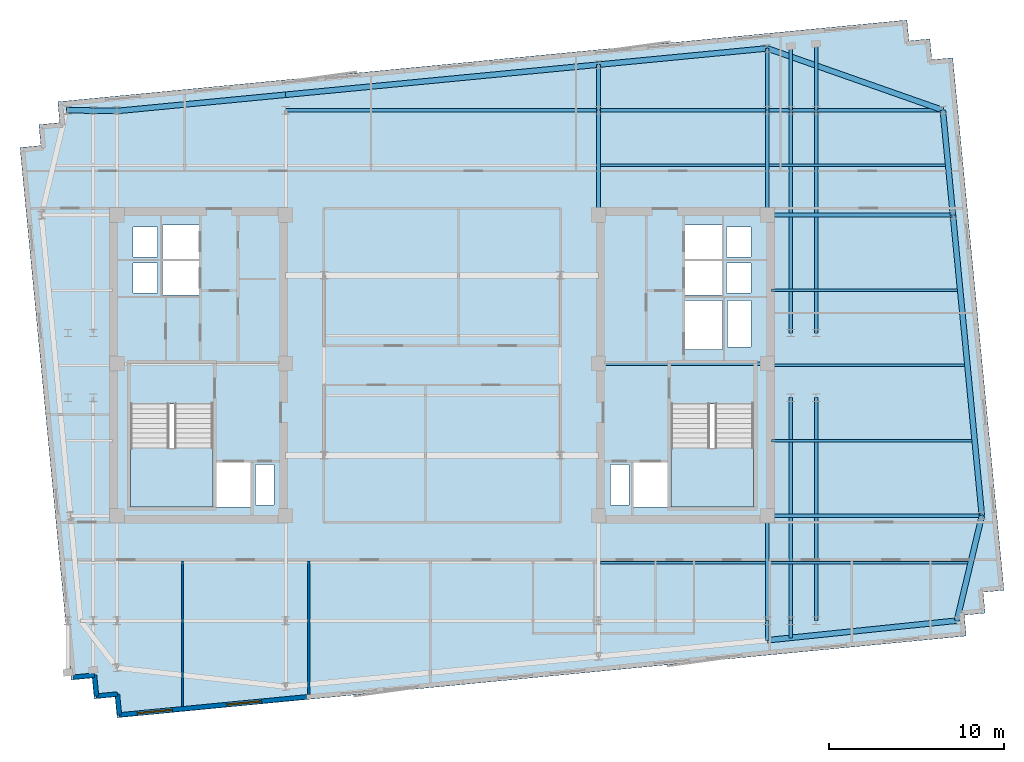
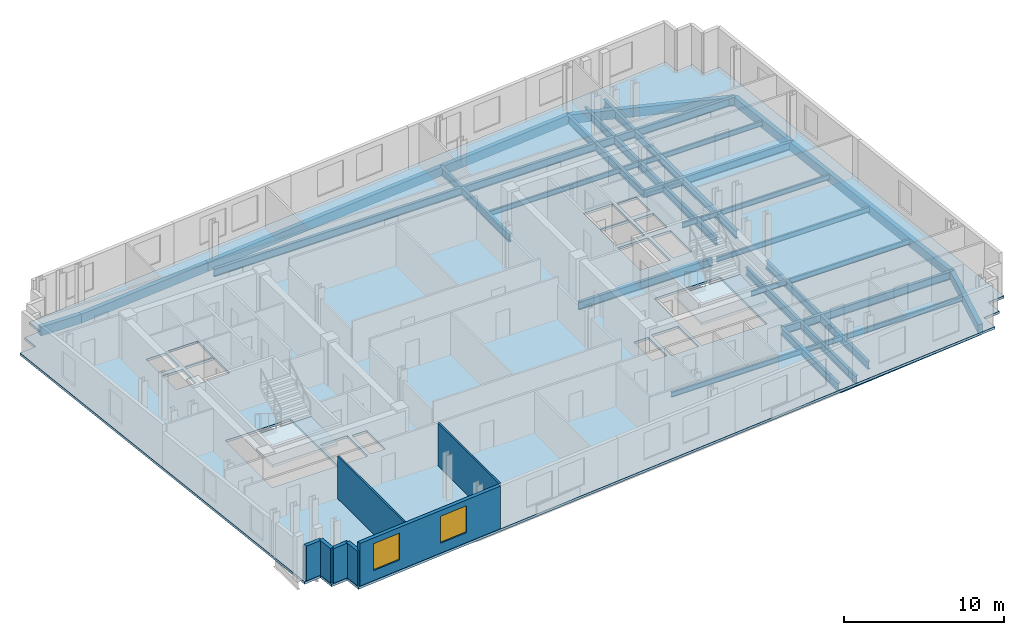
# One storey, part 2 of 9: 35 beams, 7 walls, 3 slabs, 2 windows, 2 openings, 2 elements without a shape of their own.
"""IFC4 building model written with IfcOpenShell, lengths in metres."""

from ifc_helpers import new_model, si_unit, direction, frame, frame_2d, origin, origin_2d, place, context, subcontext, project, spatial, polyline, rectangle, i_section, outline, extrude, material, layer, layer_set, material_profile, profile_set, type_object, element, fill, aggregate, save


model = new_model("IFC4")

# Units and contexts
model_context = context("Model", 3, precision=1e-05, world=origin(), true_north=direction((0.0, 1.0)))
body_context = subcontext(model_context, "Body", "Model", "MODEL_VIEW")
ifc_project = project(units=[si_unit("LENGTHUNIT", "METRE"), si_unit("AREAUNIT", "SQUARE_METRE"), si_unit("VOLUMEUNIT", "CUBIC_METRE"), si_unit("PLANEANGLEUNIT", "RADIAN"), si_unit("MASSUNIT", "GRAM", prefix="KILO")], contexts=[model_context])

# Site, building, storey
site_placement = place(None, origin())
site = spatial("IfcSite", under=ifc_project, at=site_placement, CompositionType="ELEMENT")
building_placement = place(site_placement, origin())
building = spatial("IfcBuilding", under=site, at=building_placement, Name="Velakula Bourse", CompositionType="ELEMENT")
storey_placement = place(building_placement, frame((0.0, 0.0, 265.5)))
storey = spatial("IfcBuildingStorey", under=building, at=storey_placement, Name="L72", CompositionType="ELEMENT", Elevation=265.5)

# Beams
ifc_material_1 = material(Name="Steel IS 2062 Grade 350 (E350)", Category="steel")
ifc_material_profile_1 = material_profile(ifc_material_1, i_section(OverallWidth=0.2099609375, OverallDepth=0.60009765625, WebThickness=0.011962890625, FlangeThickness=0.020751953125, at=origin_2d()), Name="Steel IS 2062 Grade 350 (E350)")
ifc_profile_set_1 = profile_set([ifc_material_profile_1], Name="Steel IS 2062 Grade 350 (E350)")
beam_type_1 = type_object("IfcBeamType", Name="BM-GRD-600L", PredefinedType="BEAM", material=ifc_profile_set_1)
beam_1_placement = place(storey_placement, frame((8.949951171875, 0.10009765625, -0.47998046875), z_axis=(1.0, 0.0, 0.0), x_axis=(0.0, 1.0, 0.0)))
element("IfcBeam", 1, at=beam_1_placement, inside=storey, type_object=beam_type_1, Name="L72 Primary Backbone Girder CRE-M", PredefinedType="BEAM", context=body_context, shape_type="SweptSolid", body=[
    extrude(i_section(OverallWidth=0.2099609375, OverallDepth=0.60009765625, WebThickness=0.011962890625, FlangeThickness=0.020751953125, at=origin_2d()), origin(), (0.0, 0.0, 1.0), 9.650146484375),
])
for number, where, z_axis, x_axis, name in (
    (2, (8.949951171875, 8.60009765625, -0.47998046875), (0.0, 1.0, 0.0), (-1.0, 0.0, 0.0), "L72 Fulcrum Grid Girder FLC-ECN"),
    (3, (18.60009765625, -14.60009765625, -0.47998046875), (0.0, 1.0, 0.0), (-1.0, 0.0, 0.0), "L72 Fulcrum Grid Girder FLC-ES"),
    (4, (18.60009765625, 8.60009765625, -0.47998046875), (0.0, 1.0, 0.0), (-1.0, 0.0, 0.0), "L72 Fulcrum Grid Girder FLC-EN"),
):
    element("IfcBeam", number, at=place(storey_placement, frame(where, z_axis=z_axis, x_axis=x_axis)), inside=storey, type_object=beam_type_1, Name=name, PredefinedType="BEAM", context=body_context, shape_type="SweptSolid", body=[
        extrude(i_section(OverallWidth=0.2099609375, OverallDepth=0.60009765625, WebThickness=0.011962890625, FlangeThickness=0.020751953125, at=origin_2d()), origin(), (0.0, 0.0, 1.0), 6.0),
    ])
beam_2_placement = place(storey_placement, frame((-8.949951171875, 14.60009765625, -0.47998046875), z_axis=(1.0, 0.0, 0.0), x_axis=(0.0, 1.0, 0.0)))
element("IfcBeam", 5, at=beam_2_placement, inside=storey, type_object=beam_type_1, Name="L72 Fulcrum Grid Girder FLC-N2", PredefinedType="BEAM", context=body_context, shape_type="SweptSolid", body=[
    extrude(i_section(OverallWidth=0.2099609375, OverallDepth=0.60009765625, WebThickness=0.011962890625, FlangeThickness=0.020751953125, at=origin_2d()), origin(), (0.0, 0.0, 1.0), 17.89990234375),
])
beam_3_placement = place(storey_placement, frame((8.949951171875, 14.60009765625, -0.47998046875), z_axis=(1.0, 0.0, 0.0), x_axis=(0.0, 1.0, 0.0)))
element("IfcBeam", 6, at=beam_3_placement, inside=storey, type_object=beam_type_1, Name="L72 Fulcrum Grid Girder FLC-N3", PredefinedType="BEAM", context=body_context, shape_type="SweptSolid", body=[
    extrude(i_section(OverallWidth=0.2099609375, OverallDepth=0.60009765625, WebThickness=0.011962890625, FlangeThickness=0.020751953125, at=origin_2d()), origin(), (0.0, 0.0, 1.0), 9.650146484375),
])
for number, where, z_axis, x_axis, name in (
    (7, (19.949951171875, -14.60009765625, -0.47998046875), (0.0, 1.0, 0.0), (-1.0, 0.0, 0.0), "L72 Fulcrum Grid Girder FLC-PSE1"),
    (8, (19.949951171875, 1.85009765625, -0.47998046875), (0.0, 1.0, 0.0), (-1.0, 0.0, 0.0), "L72 Fulcrum Grid Girder FLC-PNE1"),
    (9, (21.39990234375, -14.60009765625, -0.47998046875), (0.0, 1.0, 0.0), (-1.0, 0.0, 0.0), "L72 Fulcrum Grid Girder FLC-PSE2"),
    (10, (21.39990234375, 1.85009765625, -0.47998046875), (0.0, 1.0, 0.0), (-1.0, 0.0, 0.0), "L72 Fulcrum Grid Girder FLC-PNE2"),
):
    element("IfcBeam", number, at=place(storey_placement, frame(where, z_axis=z_axis, x_axis=x_axis)), inside=storey, type_object=beam_type_1, Name=name, PredefinedType="BEAM", context=body_context, shape_type="SweptSolid", body=[
        extrude(i_section(OverallWidth=0.2099609375, OverallDepth=0.60009765625, WebThickness=0.011962890625, FlangeThickness=0.020751953125, at=origin_2d()), origin(), (0.0, 0.0, 1.0), 12.75),
    ])
beam_4_placement = place(storey_placement, frame((18.60009765625, -14.60009765625, -0.47998046875), z_axis=(0.0, -1.0, 0.0), x_axis=(1.0, 0.0, 0.0)))
element("IfcBeam", 11, at=beam_4_placement, inside=storey, type_object=beam_type_1, Name="L72 Perimeter Tie Girder S4", PredefinedType="BEAM", context=body_context, shape_type="SweptSolid", body=[
    extrude(i_section(OverallWidth=0.2099609375, OverallDepth=0.60009765625, WebThickness=0.011962890625, FlangeThickness=0.020751953125, at=origin_2d()), origin(), (0.0, 0.0, 1.0), 1.1220703125),
])
beam_5_placement = place(storey_placement, frame((8.949951171875, 14.60009765625, -0.47998046875), z_axis=(0.0, 1.0, 0.0), x_axis=(-1.0, 0.0, 0.0)))
element("IfcBeam", 12, at=beam_5_placement, inside=storey, type_object=beam_type_1, Name="L72 Perimeter Tie Girder N3", PredefinedType="BEAM", context=body_context, shape_type="SweptSolid", body=[
    extrude(i_section(OverallWidth=0.2099609375, OverallDepth=0.60009765625, WebThickness=0.011962890625, FlangeThickness=0.020751953125, at=origin_2d()), origin(), (0.0, 0.0, 1.0), 2.6044921875),
])
beam_6_placement = place(storey_placement, frame((18.60009765625, 14.60009765625, -0.47998046875), z_axis=(0.0, 1.0, 0.0), x_axis=(-1.0, 0.0, 0.0)))
element("IfcBeam", 13, at=beam_6_placement, inside=storey, type_object=beam_type_1, Name="L72 Perimeter Tie Girder N4", PredefinedType="BEAM", context=body_context, shape_type="SweptSolid", body=[
    extrude(i_section(OverallWidth=0.2099609375, OverallDepth=0.60009765625, WebThickness=0.011962890625, FlangeThickness=0.020751953125, at=origin_2d()), origin(), (0.0, 0.0, 1.0), 3.53369140625),
])
beam_7_placement = place(storey_placement, frame((18.60009765625, -8.60009765625, -0.47998046875), z_axis=(1.0, 0.0, 0.0), x_axis=(0.0, 1.0, 0.0)))
element("IfcBeam", 14, at=beam_7_placement, inside=storey, type_object=beam_type_1, Name="L72 Perimeter Tie Girder E2", PredefinedType="BEAM", context=body_context, shape_type="SweptSolid", body=[
    extrude(i_section(OverallWidth=0.2099609375, OverallDepth=0.60009765625, WebThickness=0.011962890625, FlangeThickness=0.020751953125, at=origin_2d()), origin(), (0.0, 0.0, 1.0), 12.27880859375),
])
beam_8_placement = place(storey_placement, frame((18.60009765625, 8.60009765625, -0.47998046875), z_axis=(1.0, 0.0, 0.0), x_axis=(0.0, 1.0, 0.0)))
element("IfcBeam", 15, at=beam_8_placement, inside=storey, type_object=beam_type_1, Name="L72 Perimeter Tie Girder E3", PredefinedType="BEAM", context=body_context, shape_type="SweptSolid", body=[
    extrude(i_section(OverallWidth=0.2099609375, OverallDepth=0.60009765625, WebThickness=0.011962890625, FlangeThickness=0.020751953125, at=origin_2d()), origin(), (0.0, 0.0, 1.0), 10.62255859375),
])
beam_9_placement = place(storey_placement, frame((18.60009765625, 14.60009765625, -0.47998046875), z_axis=(1.0, 0.0, 0.0), x_axis=(0.0, 1.0, 0.0)))
element("IfcBeam", 16, at=beam_9_placement, inside=storey, type_object=beam_type_1, Name="L72 Perimeter Tie Girder E4", PredefinedType="BEAM", context=body_context, shape_type="SweptSolid", body=[
    extrude(i_section(OverallWidth=0.2099609375, OverallDepth=0.60009765625, WebThickness=0.011962890625, FlangeThickness=0.020751953125, at=origin_2d()), origin(), (0.0, 0.0, 1.0), 10.044921875),
])
beam_10_placement = place(storey_placement, frame((19.949951171875, -14.60009765625, -0.47998046875), z_axis=(0.0, -1.0, 0.0), x_axis=(1.0, 0.0, 0.0)))
element("IfcBeam", 17, at=beam_10_placement, inside=storey, type_object=beam_type_1, Name="L72 Perimeter Tie Girder P03", PredefinedType="BEAM", context=body_context, shape_type="SweptSolid", body=[
    extrude(i_section(OverallWidth=0.2099609375, OverallDepth=0.60009765625, WebThickness=0.011962890625, FlangeThickness=0.020751953125, at=origin_2d()), origin(), (0.0, 0.0, 1.0), 0.991943359375),
])
beam_11_placement = place(storey_placement, frame((19.949951171875, 14.60009765625, -0.47998046875), z_axis=(0.0, 1.0, 0.0), x_axis=(-1.0, 0.0, 0.0)))
element("IfcBeam", 18, at=beam_11_placement, inside=storey, type_object=beam_type_1, Name="L72 Perimeter Tie Girder P07", PredefinedType="BEAM", context=body_context, shape_type="SweptSolid", body=[
    extrude(i_section(OverallWidth=0.2099609375, OverallDepth=0.60009765625, WebThickness=0.011962890625, FlangeThickness=0.020751953125, at=origin_2d()), origin(), (0.0, 0.0, 1.0), 3.66357421875),
])
beam_12_placement = place(storey_placement, frame((21.39990234375, 14.60009765625, -0.47998046875), z_axis=(0.0, 1.0, 0.0), x_axis=(-1.0, 0.0, 0.0)))
element("IfcBeam", 19, at=beam_12_placement, inside=storey, type_object=beam_type_1, Name="L72 Perimeter Tie Girder P08", PredefinedType="BEAM", context=body_context, shape_type="SweptSolid", body=[
    extrude(i_section(OverallWidth=0.2099609375, OverallDepth=0.60009765625, WebThickness=0.011962890625, FlangeThickness=0.020751953125, at=origin_2d()), origin(), (0.0, 0.0, 1.0), 3.80322265625),
])
ifc_material_profile_2 = material_profile(ifc_material_1, i_section(OverallWidth=0.139892578125, OverallDepth=0.39990234375, WebThickness=0.0087890625, FlangeThickness=0.01611328125, at=origin_2d()), Name="Steel IS 2062 Grade 350 (E350)")
ifc_profile_set_2 = profile_set([ifc_material_profile_2], Name="Steel IS 2062 Grade 350 (E350)")
beam_type_2 = type_object("IfcBeamType", Name="JST-TWR-400", PredefinedType="JOIST", material=ifc_profile_set_2)
beam_13_placement = place(storey_placement, frame((9.054931640625, -11.300048828125, -0.3798828125), z_axis=(1.0, 0.0, 0.0), x_axis=(0.0, 1.0, 0.0)))
element("IfcBeam", 20, at=beam_13_placement, inside=storey, type_object=beam_type_2, Name="L72 Trading Floor Composite Joist 06", PredefinedType="JOIST", context=body_context, shape_type="SweptSolid", body=[
    extrude(i_section(OverallWidth=0.139892578125, OverallDepth=0.39990234375, WebThickness=0.0087890625, FlangeThickness=0.01611328125, at=origin_2d()), origin(), (0.0, 0.0, 1.0), 9.440185546875),
])
beam_14_placement = place(storey_placement, frame((18.705078125, -11.300048828125, -0.3798828125), z_axis=(1.0, 0.0, 0.0), x_axis=(0.0, 1.0, 0.0)))
element("IfcBeam", 21, at=beam_14_placement, inside=storey, type_object=beam_type_2, Name="L72 Trading Floor Composite Joist 07", PredefinedType="JOIST", context=body_context, shape_type="SweptSolid", body=[
    extrude(i_section(OverallWidth=0.139892578125, OverallDepth=0.39990234375, WebThickness=0.0087890625, FlangeThickness=0.01611328125, at=origin_2d()), origin(), (0.0, 0.0, 1.0), 11.364990234375),
])
beam_15_placement = place(storey_placement, frame((9.054931640625, 11.449951171875, -0.3798828125), z_axis=(1.0, 0.0, 0.0), x_axis=(0.0, 1.0, 0.0)))
element("IfcBeam", 22, at=beam_15_placement, inside=storey, type_object=beam_type_2, Name="L72 Trading Floor Composite Joist 11", PredefinedType="JOIST", context=body_context, shape_type="SweptSolid", body=[
    extrude(i_section(OverallWidth=0.139892578125, OverallDepth=0.39990234375, WebThickness=0.0087890625, FlangeThickness=0.01611328125, at=origin_2d()), origin(), (0.0, 0.0, 1.0), 9.440185546875),
])
beam_16_placement = place(storey_placement, frame((18.705078125, 11.449951171875, -0.3798828125), z_axis=(1.0, 0.0, 0.0), x_axis=(0.0, 1.0, 0.0)))
element("IfcBeam", 23, at=beam_16_placement, inside=storey, type_object=beam_type_2, Name="L72 Trading Floor Composite Joist 12", PredefinedType="JOIST", context=body_context, shape_type="SweptSolid", body=[
    extrude(i_section(OverallWidth=0.139892578125, OverallDepth=0.39990234375, WebThickness=0.0087890625, FlangeThickness=0.01611328125, at=origin_2d()), origin(), (0.0, 0.0, 1.0), 10.08251953125),
])
beam_17_placement = place(storey_placement, frame((18.85009765625, -4.300048828125, -0.3798828125), z_axis=(1.0, 0.0, 0.0), x_axis=(0.0, 1.0, 0.0)))
element("IfcBeam", 24, at=beam_17_placement, inside=storey, type_object=beam_type_2, Name="L72 Trading Floor Composite Joist 17", PredefinedType="JOIST", context=body_context, shape_type="SweptSolid", body=[
    extrude(i_section(OverallWidth=0.139892578125, OverallDepth=0.39990234375, WebThickness=0.0087890625, FlangeThickness=0.01611328125, at=origin_2d()), origin(), (0.0, 0.0, 1.0), 11.453857421875),
])
beam_18_placement = place(storey_placement, frame((18.85009765625, 0.0, -0.3798828125), z_axis=(1.0, 0.0, 0.0), x_axis=(0.0, 1.0, 0.0)))
element("IfcBeam", 25, at=beam_18_placement, inside=storey, type_object=beam_type_2, Name="L72 Trading Floor Composite Joist 19", PredefinedType="JOIST", context=body_context, shape_type="SweptSolid", body=[
    extrude(i_section(OverallWidth=0.139892578125, OverallDepth=0.39990234375, WebThickness=0.0087890625, FlangeThickness=0.01611328125, at=origin_2d()), origin(), (0.0, 0.0, 1.0), 11.039794921875),
])
beam_19_placement = place(storey_placement, frame((18.85009765625, 4.300048828125, -0.3798828125), z_axis=(1.0, 0.0, 0.0), x_axis=(0.0, 1.0, 0.0)))
element("IfcBeam", 26, at=beam_19_placement, inside=storey, type_object=beam_type_2, Name="L72 Trading Floor Composite Joist 21", PredefinedType="JOIST", context=body_context, shape_type="SweptSolid", body=[
    extrude(i_section(OverallWidth=0.139892578125, OverallDepth=0.39990234375, WebThickness=0.0087890625, FlangeThickness=0.01611328125, at=origin_2d()), origin(), (0.0, 0.0, 1.0), 10.6259765625),
])
ifc_material_2 = material(Name="Precast concrete M45 (fck 45 MPa)", Category="concrete")
ifc_material_profile_3 = material_profile(ifc_material_2, rectangle(XDim=0.320068359375, YDim=0.679931640625, at=origin_2d()), Name="Precast concrete M45 (fck 45 MPa)")
ifc_profile_set_3 = profile_set([ifc_material_profile_3], Name="Precast concrete M45 (fck 45 MPa)")
beam_type_3 = type_object("IfcBeamType", Name="SPN-BRICK-680", PredefinedType="SPANDREL", material=ifc_profile_set_3)
beam_20_placement = place(storey_placement, frame((-18.60009765625, 14.5517578125, -0.52001953125), z_axis=(0.99539623971, 0.095845323155, 0.0), x_axis=(-0.095845323155, 0.99539623971, 0.0)))
element("IfcBeam", 27, at=beam_20_placement, inside=storey, type_object=beam_type_3, Name="L72 Brick-Faced Precast Spandrel N1-N2", PredefinedType="SPANDREL", context=body_context, shape_type="SweptSolid", body=[
    extrude(rectangle(XDim=0.320068359375, YDim=0.679931640625, at=origin_2d()), origin(), (0.0, 0.0, 1.0), 9.69482421875),
])
beam_21_placement = place(storey_placement, frame((-8.949951171875, 15.48095703125, -0.52001953125), z_axis=(0.995395836254, 0.095849513134, 0.0), x_axis=(-0.095849513134, 0.995395836254, 0.0)))
element("IfcBeam", 28, at=beam_21_placement, inside=storey, type_object=beam_type_3, Name="L72 Brick-Faced Precast Spandrel N2-N3", PredefinedType="SPANDREL", context=body_context, shape_type="SweptSolid", body=[
    extrude(rectangle(XDim=0.320068359375, YDim=0.679931640625, at=origin_2d()), origin(), (0.0, 0.0, 1.0), 17.982666015625),
])
beam_22_placement = place(storey_placement, frame((8.949951171875, 17.20458984375, -0.52001953125), z_axis=(0.99539623971, 0.095845323155, 0.0), x_axis=(-0.095845323155, 0.99539623971, 0.0)))
element("IfcBeam", 29, at=beam_22_placement, inside=storey, type_object=beam_type_3, Name="L72 Brick-Faced Precast Spandrel N3-N4", PredefinedType="SPANDREL", context=body_context, shape_type="SweptSolid", body=[
    extrude(rectangle(XDim=0.320068359375, YDim=0.679931640625, at=origin_2d()), origin(), (0.0, 0.0, 1.0), 9.69482421875),
])
beam_23_placement = place(storey_placement, frame((29.447265625, -14.60009765625, -0.52001953125), z_axis=(0.232091371601, 0.972693988482, 0.0), x_axis=(-0.972693988482, 0.232091371601, 0.0)))
element("IfcBeam", 30, at=beam_23_placement, inside=storey, type_object=beam_type_3, Name="L72 Brick-Faced Precast Spandrel E1-E2", PredefinedType="SPANDREL", context=body_context, shape_type="SweptSolid", body=[
    extrude(rectangle(XDim=0.320068359375, YDim=0.679931640625, at=origin_2d()), origin(), (0.0, 0.0, 1.0), 6.16845703125),
])
beam_24_placement = place(storey_placement, frame((30.87890625, -8.60009765625, -0.52001953125), z_axis=(-0.095849167925, 0.995395869495, 0.0), x_axis=(-0.995395869495, -0.095849167925, 0.0)))
element("IfcBeam", 31, at=beam_24_placement, inside=storey, type_object=beam_type_3, Name="L72 Brick-Faced Precast Spandrel E2-E3", PredefinedType="SPANDREL", context=body_context, shape_type="SweptSolid", body=[
    extrude(rectangle(XDim=0.320068359375, YDim=0.679931640625, at=origin_2d()), origin(), (0.0, 0.0, 1.0), 17.27978515625),
])
beam_25_placement = place(storey_placement, frame((29.22265625, 8.60009765625, -0.52001953125), z_axis=(-0.095829714309, 0.995397742541, 0.0), x_axis=(-0.995397742541, -0.095829714309, 0.0)))
element("IfcBeam", 32, at=beam_25_placement, inside=storey, type_object=beam_type_3, Name="L72 Brick-Faced Precast Spandrel E3-E4", PredefinedType="SPANDREL", context=body_context, shape_type="SweptSolid", body=[
    extrude(rectangle(XDim=0.320068359375, YDim=0.679931640625, at=origin_2d()), origin(), (0.0, 0.0, 1.0), 6.02783203125),
])
beam_26_placement = place(storey_placement, frame((18.60009765625, -15.72216796875, -0.52001953125), z_axis=(0.994692267912, 0.102894568159, 0.0), x_axis=(-0.102894568159, 0.994692267912, 0.0)))
element("IfcBeam", 33, at=beam_26_placement, inside=storey, type_object=beam_type_3, Name="L72 Brick-Faced Precast Spandrel S4-E1", PredefinedType="SPANDREL", context=body_context, shape_type="SweptSolid", body=[
    extrude(rectangle(XDim=0.320068359375, YDim=0.679931640625, at=origin_2d()), origin(), (0.0, 0.0, 1.0), 10.905029296875),
])
beam_27_placement = place(storey_placement, frame((28.64501953125, 14.60009765625, -0.52001953125), z_axis=(-0.943331000058, 0.331853317491, 0.0), x_axis=(-0.331853317491, -0.943331000058, 0.0)))
element("IfcBeam", 34, at=beam_27_placement, inside=storey, type_object=beam_type_3, Name="L72 Brick-Faced Precast Spandrel E4-N4", PredefinedType="SPANDREL", context=body_context, shape_type="SweptSolid", body=[
    extrude(rectangle(XDim=0.320068359375, YDim=0.679931640625, at=origin_2d()), origin(), (0.0, 0.0, 1.0), 10.6484375),
])
beam_28_placement = place(storey_placement, frame((-18.60009765625, 14.5517578125, -0.52001953125), z_axis=(-0.999859727013, 0.016748919285, 0.0), x_axis=(-0.016748919285, -0.999859727013, 0.0)))
element("IfcBeam", 35, at=beam_28_placement, inside=storey, type_object=beam_type_3, Name="L72 Brick-Faced Precast Spandrel N1-W4", PredefinedType="SPANDREL", context=body_context, shape_type="SweptSolid", body=[
    extrude(rectangle(XDim=0.320068359375, YDim=0.679931640625, at=origin_2d()), origin(), (0.0, 0.0, 1.0), 2.88623046875),
])

# Stair, slab
ifc_material_3 = material(Name="Concrete M45 (fck 45 MPa)", Category="concrete")
stair_type = type_object("IfcStairType", Name="STR-DOG-390", PredefinedType="HALF_TURN_STAIR", material=ifc_material_3)
stair_1_placement = place(storey_placement, origin())
stair_1 = element("IfcStair", 36, at=stair_1_placement, inside=storey, type_object=stair_type, Name="L72 West Core Exit Stair ST-W1", PredefinedType="HALF_TURN_STAIR")
ifc_layer_1 = layer(ifc_material_3, 0.199951171875, Name="Concrete M45 (fck 45 MPa)", Category="concrete")
ifc_layer_set_1 = layer_set([ifc_layer_1], Name="Concrete M45 (fck 45 MPa)")
slab_type_1 = type_object("IfcSlabType", Name="SLB-STAIR-LND-200", PredefinedType="LANDING", material=ifc_layer_set_1)
slab_1_placement = place(storey_placement, frame((0.0, 0.0, 1.52490234375)))
slab_1 = element("IfcSlab", 37, at=slab_1_placement, type_object=slab_type_1, Name="ST-W1 landing 1", PredefinedType="LANDING", context=body_context, shape_type="SweptSolid", body=[
    extrude(outline(polyline([(-17.820068359375, -4.719970703125), (-17.820068359375, -8.10009765625), (-13.10009765625, -8.10009765625), (-13.10009765625, -4.719970703125), (-17.820068359375, -4.719970703125)])), origin(), (0.0, 0.0, 1.0), 0.2001953125),
])
aggregate(stair_1, [slab_1])

stair_2_placement = place(storey_placement, origin())
stair_2 = element("IfcStair", 38, at=stair_2_placement, inside=storey, type_object=stair_type, Name="L72 East Core Exit Stair ST-E1", PredefinedType="HALF_TURN_STAIR")
slab_2_placement = place(storey_placement, frame((0.0, 0.0, 1.52490234375)))
slab_2 = element("IfcSlab", 39, at=slab_2_placement, type_object=slab_type_1, Name="ST-E1 landing 1", PredefinedType="LANDING", context=body_context, shape_type="SweptSolid", body=[
    extrude(outline(polyline([(13.10009765625, -4.719970703125), (13.10009765625, -8.10009765625), (17.820068359375, -8.10009765625), (17.820068359375, -4.719970703125), (13.10009765625, -4.719970703125)])), origin(), (0.0, 0.0, 1.0), 0.2001953125),
])
aggregate(stair_2, [slab_2])

# Slab
ifc_material_4 = material(Name="Concrete M50 (fck 50 MPa)", Category="concrete")
ifc_layer_2 = layer(ifc_material_4, 0.179931640625, Name="Concrete M50 (fck 50 MPa)", Category="concrete")
ifc_layer_set_2 = layer_set([ifc_layer_2], Name="Concrete M50 (fck 50 MPa)")
slab_type_2 = type_object("IfcSlabType", Name="SLB-TWR-180", PredefinedType="FLOOR", material=ifc_layer_set_2)
slab_3_placement = place(storey_placement, frame((0.0, 0.0, -0.179931640625)))
element("IfcSlab", 40, at=slab_3_placement, inside=storey, type_object=slab_type_2, Name="L72 Suspended Structural Floor Slab", PredefinedType="FLOOR", context=body_context, shape_type="SweptSolid", body=[
    extrude(outline(polyline([(-18.59130859375, -20.1572265625), (29.984130859375, -15.47998046875), (29.869140625, -14.285400390625), (31.0634765625, -14.17041015625), (30.948486328125, -12.975830078125), (32.14306640625, -12.86083984375), (29.210205078125, 17.59814453125), (28.015625, 17.483154296875), (27.900634765625, 18.677734375), (26.706298828125, 18.562744140625), (26.59130859375, 19.757080078125), (-21.984130859375, 15.079833984375), (-21.869140625, 13.885498046875), (-23.0634765625, 13.7705078125), (-22.948486328125, 12.575927734375), (-24.14306640625, 12.4609375), (-21.210205078125, -17.998291015625), (-20.015625, -17.88330078125), (-19.900634765625, -19.07763671875), (-18.706298828125, -18.962646484375), (-18.59130859375, -20.1572265625)]), holes=[polyline([(-17.820068359375, -8.10009765625), (-13.10009765625, -8.10009765625), (-13.10009765625, -2.199951171875), (-17.820068359375, -2.199951171875), (-17.820068359375, -8.10009765625)]), polyline([(13.10009765625, -8.10009765625), (17.820068359375, -8.10009765625), (17.820068359375, -2.199951171875), (13.10009765625, -2.199951171875), (13.10009765625, -8.10009765625)]), polyline([(-12.89990234375, -8.10009765625), (-10.949951171875, -8.10009765625), (-10.949951171875, -5.550048828125), (-12.89990234375, -5.550048828125), (-12.89990234375, -8.10009765625)]), polyline([(10.949951171875, -8.10009765625), (12.89990234375, -8.10009765625), (12.89990234375, -5.550048828125), (10.949951171875, -5.550048828125), (10.949951171875, -8.10009765625)]), polyline([(13.89990234375, 0.919921875), (16.050048828125, 0.919921875), (16.050048828125, 3.719970703125), (13.89990234375, 3.719970703125), (13.89990234375, 0.919921875)]), polyline([(-10.679931640625, -7.97998046875), (-9.6201171875, -7.97998046875), (-9.6201171875, -5.669921875), (-10.679931640625, -5.669921875), (-10.679931640625, -7.97998046875)]), polyline([(-17.679931640625, 4.139892578125), (-16.27001953125, 4.139892578125), (-16.27001953125, 5.85009765625), (-17.679931640625, 5.85009765625), (-17.679931640625, 4.139892578125)]), polyline([(-17.679931640625, 6.2099609375), (-16.27001953125, 6.2099609375), (-16.27001953125, 7.919921875), (-17.679931640625, 7.919921875), (-17.679931640625, 6.2099609375)]), polyline([(9.6201171875, -7.97998046875), (10.679931640625, -7.97998046875), (10.679931640625, -5.669921875), (9.6201171875, -5.669921875), (9.6201171875, -7.97998046875)]), polyline([(16.27001953125, 4.139892578125), (17.679931640625, 4.139892578125), (17.679931640625, 5.85009765625), (16.27001953125, 5.85009765625), (16.27001953125, 4.139892578125)]), polyline([(16.27001953125, 6.2099609375), (17.679931640625, 6.2099609375), (17.679931640625, 7.919921875), (16.27001953125, 7.919921875), (16.27001953125, 6.2099609375)]), polyline([(16.320068359375, 1.0400390625), (17.679931640625, 1.0400390625), (17.679931640625, 3.699951171875), (16.320068359375, 3.699951171875), (16.320068359375, 1.0400390625)]), polyline([(-16.0, 4.02001953125), (-13.89990234375, 4.02001953125), (-13.89990234375, 5.969970703125), (-16.0, 5.969970703125), (-16.0, 4.02001953125)]), polyline([(-16.0, 6.090087890625), (-13.89990234375, 6.090087890625), (-13.89990234375, 8.0400390625), (-16.0, 8.0400390625), (-16.0, 6.090087890625)]), polyline([(13.89990234375, 4.02001953125), (16.0, 4.02001953125), (16.0, 5.969970703125), (13.89990234375, 5.969970703125), (13.89990234375, 4.02001953125)]), polyline([(13.89990234375, 6.090087890625), (16.0, 6.090087890625), (16.0, 8.0400390625), (13.89990234375, 8.0400390625), (13.89990234375, 6.090087890625)])]), origin(), (0.0, 0.0, 1.0), 0.179931640625),
])

# Wall, openings, windows
ifc_material_5 = material(Name="Buff kilned clay facing brick masonry", Category="masonry")
ifc_layer_3 = layer(ifc_material_5, 0.260009765625, Name="Buff kilned clay facing brick masonry", Category="masonry")
ifc_layer_set_3 = layer_set([ifc_layer_3], Name="Buff kilned clay facing brick masonry")
wall_type_1 = type_object("IfcWallType", Name="WL-EXT-BRK-260", PredefinedType="STANDARD", material=ifc_layer_set_3)
wall_1_placement = place(storey_placement, frame((-7.755859375, -18.963134765625, 0.0), z_axis=(0.0, 0.0, 1.0), x_axis=(-0.995396745868, -0.095840066339, 0.0)))
wall_1 = element("IfcWall", 41, at=wall_1_placement, inside=storey, type_object=wall_type_1, Name="L72 S Brick Spandrel Wall B1", PredefinedType="STANDARD", context=body_context, shape_type="SweptSolid", body=[
    extrude(rectangle(XDim=10.75, YDim=0.260009765625, at=frame_2d((5.375, 0.0))), origin(), (0.0, 0.0, 1.0), 3.25),
])
opening_1_placement = place(wall_1_placement, frame((2.583251953125, 0.0, 0.760009765625)))
opening_1 = element("IfcOpeningElement", 42, at=opening_1_placement, cuts=wall_1, Name="Opening W-05", PredefinedType="OPENING", context=body_context, shape_type="SweptSolid", body=[
    extrude(rectangle(XDim=2.0, YDim=2.050048828125, at=frame_2d((1.0, 1.02490234375))), frame((0.0, 0.139892578125, 0.0), z_axis=(0.0, -1.0, 0.0), x_axis=(1.0, 0.0, 0.0)), (0.0, 0.0, 1.0), 0.280029296875),
])
opening_2_placement = place(wall_1_placement, frame((7.716796875, 0.0, 0.760009765625)))
opening_2 = element("IfcOpeningElement", 43, at=opening_2_placement, cuts=wall_1, Name="Opening W-05", PredefinedType="OPENING", context=body_context, shape_type="SweptSolid", body=[
    extrude(rectangle(XDim=2.0, YDim=2.050048828125, at=frame_2d((1.0, 1.02490234375))), frame((0.0, 0.139892578125, 0.0), z_axis=(0.0, -1.0, 0.0), x_axis=(1.0, 0.0, 0.0)), (0.0, 0.0, 1.0), 0.280029296875),
])
ifc_material_6 = material(Name="Double-glazed solar-control Low-E glass", Category="glass")
window_type = type_object("IfcWindowType", Name="WIN-TWR-2000x2200", PartitioningType="DOUBLE_PANEL_VERTICAL", PredefinedType="WINDOW", material=ifc_material_6)
window_1_placement = place(opening_1_placement, origin())
window_1 = element("IfcWindow", 44, at=window_1_placement, inside=storey, type_object=window_type, Name="L72 Deep-Set Recessed Window 1", OverallHeight=2.050048828125, OverallWidth=2.0, PartitioningType="DOUBLE_PANEL_VERTICAL", PredefinedType="WINDOW", context=body_context, shape_type="SweptSolid", body=[
    extrude(rectangle(XDim=2.0, YDim=2.050048828125, at=frame_2d((1.0, 1.02490234375))), frame((0.0, 0.030029296875, 0.0), z_axis=(0.0, -1.0, 0.0), x_axis=(1.0, 0.0, 0.0)), (0.0, 0.0, 1.0), 0.06005859375),
])
fill(opening_1, window_1)
window_2_placement = place(opening_2_placement, origin())
window_2 = element("IfcWindow", 45, at=window_2_placement, inside=storey, type_object=window_type, Name="L72 Deep-Set Recessed Window 2", OverallHeight=2.050048828125, OverallWidth=2.0, PartitioningType="DOUBLE_PANEL_VERTICAL", PredefinedType="WINDOW", context=body_context, shape_type="SweptSolid", body=[
    extrude(rectangle(XDim=2.0, YDim=2.050048828125, at=frame_2d((1.0, 1.02490234375))), frame((0.0, 0.030029296875, 0.0), z_axis=(0.0, -1.0, 0.0), x_axis=(1.0, 0.0, 0.0)), (0.0, 0.0, 1.0), 0.06005859375),
])
fill(opening_2, window_2)

# Walls
wall_2_placement = place(storey_placement, frame((-21.0751953125, -17.83447265625, 0.0), z_axis=(0.0, 0.0, 1.0), x_axis=(0.995397091755, 0.095836473879, 0.0)))
element("IfcWall", 46, at=wall_2_placement, inside=storey, type_object=wall_type_1, Name="L72 Serrated Corner Brick Wall SW-1", PredefinedType="STANDARD", context=body_context, shape_type="SweptSolid", body=[
    extrude(rectangle(XDim=1.199951171875, YDim=0.260009765625, at=frame_2d((0.60009765625, 0.0))), origin(), (0.0, 0.0, 1.0), 2.64501953125),
])
for number, where, z_axis, x_axis, name in (
    (47, (-19.880859375, -17.719482421875, 0.0), (0.0, 0.0, 1.0), (0.095817067274, -0.995398960025, 0.0), "L72 Serrated Corner Brick Wall SW-2"),
    (48, (-19.765869140625, -18.9140625, 0.0), (0.0, 0.0, 1.0), (0.995398960025, 0.095817067274, 0.0), "L72 Serrated Corner Brick Wall SW-3"),
):
    element("IfcWall", number, at=place(storey_placement, frame(where, z_axis=z_axis, x_axis=x_axis)), inside=storey, type_object=wall_type_1, Name=name, PredefinedType="STANDARD", context=body_context, shape_type="SweptSolid", body=[
        extrude(rectangle(XDim=1.2001953125, YDim=0.260009765625, at=frame_2d((0.60009765625, 0.0))), origin(), (0.0, 0.0, 1.0), 2.64501953125),
    ])
wall_3_placement = place(storey_placement, frame((-18.5712890625, -18.799072265625, 0.0), z_axis=(0.0, 0.0, 1.0), x_axis=(0.095836473879, -0.995397091755, 0.0)))
element("IfcWall", 49, at=wall_3_placement, inside=storey, type_object=wall_type_1, Name="L72 Serrated Corner Brick Wall SW-4", PredefinedType="STANDARD", context=body_context, shape_type="SweptSolid", body=[
    extrude(rectangle(XDim=1.199951171875, YDim=0.260009765625, at=frame_2d((0.60009765625, 0.0))), origin(), (0.0, 0.0, 1.0), 2.64501953125),
])
ifc_material_7 = material(Name="Fire-rated double-layer gypsum drywall partition", Category="gypsum")
ifc_layer_4 = layer(ifc_material_7, 0.1201171875, Name="Fire-rated double-layer gypsum drywall partition", Category="gypsum")
ifc_layer_set_4 = layer_set([ifc_layer_4], Name="Fire-rated double-layer gypsum drywall partition")
wall_type_2 = type_object("IfcWallType", Name="WL-PART-120", PredefinedType="STANDARD", material=ifc_layer_set_4)
wall_4_placement = place(storey_placement, frame((-14.843017578125, -19.514892578125, 0.0), z_axis=(0.0, 0.0, 1.0), x_axis=(0.0, 1.0, 0.0)))
element("IfcWall", 50, at=wall_4_placement, inside=storey, type_object=wall_type_2, Name="L72 Interior Partition WL-INT-L72-SL-D5", PredefinedType="STANDARD", context=body_context, shape_type="SweptSolid", body=[
    extrude(rectangle(XDim=8.324951171875, YDim=0.1201171875, at=frame_2d((4.16259765625, 0.0))), origin(), (0.0, 0.0, 1.0), 3.25),
])
wall_5_placement = place(storey_placement, frame((-7.6279296875, -18.8203125, 0.0), z_axis=(0.0, 0.0, 1.0), x_axis=(0.0, 1.0, 0.0)))
element("IfcWall", 51, at=wall_5_placement, inside=storey, type_object=wall_type_2, Name="L72 Interior Partition WL-INT-L72-SL-D6", PredefinedType="STANDARD", context=body_context, shape_type="SweptSolid", body=[
    extrude(rectangle(XDim=7.63037109375, YDim=0.1201171875, at=frame_2d((3.815185546875, 0.0))), origin(), (0.0, 0.0, 1.0), 3.25),
])

save(model, "model.ifc")
